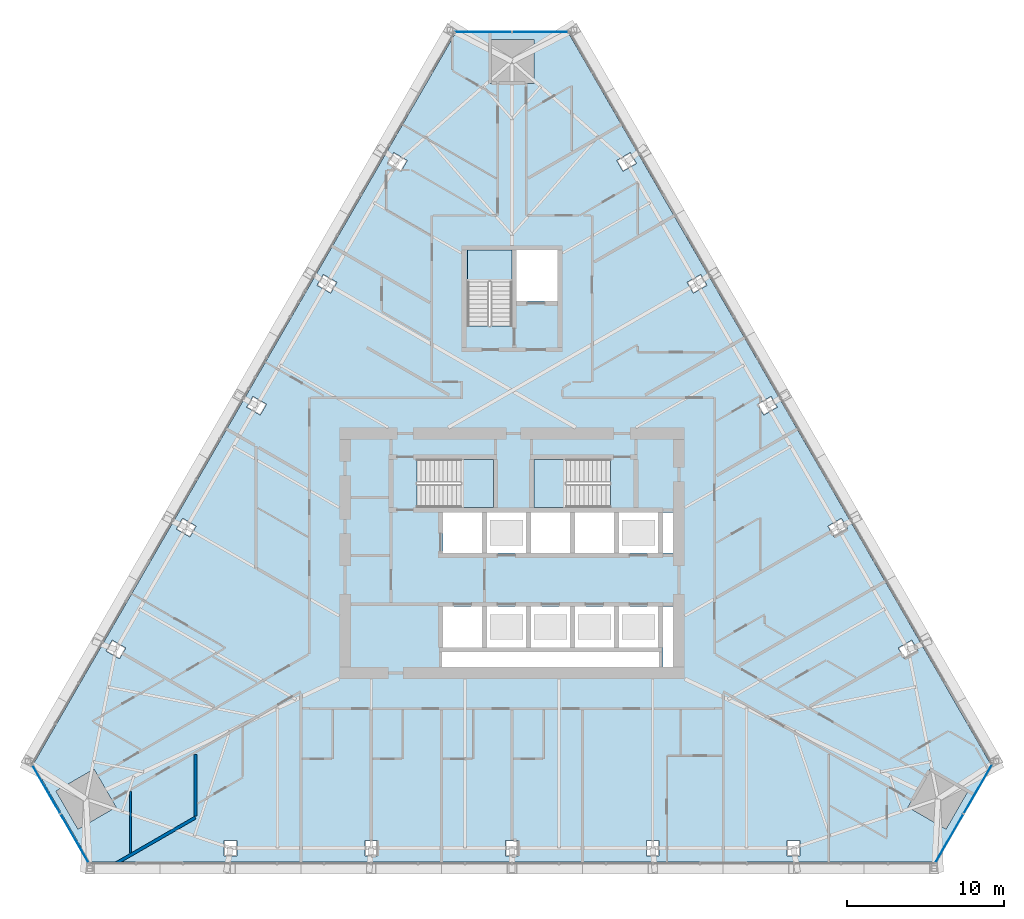
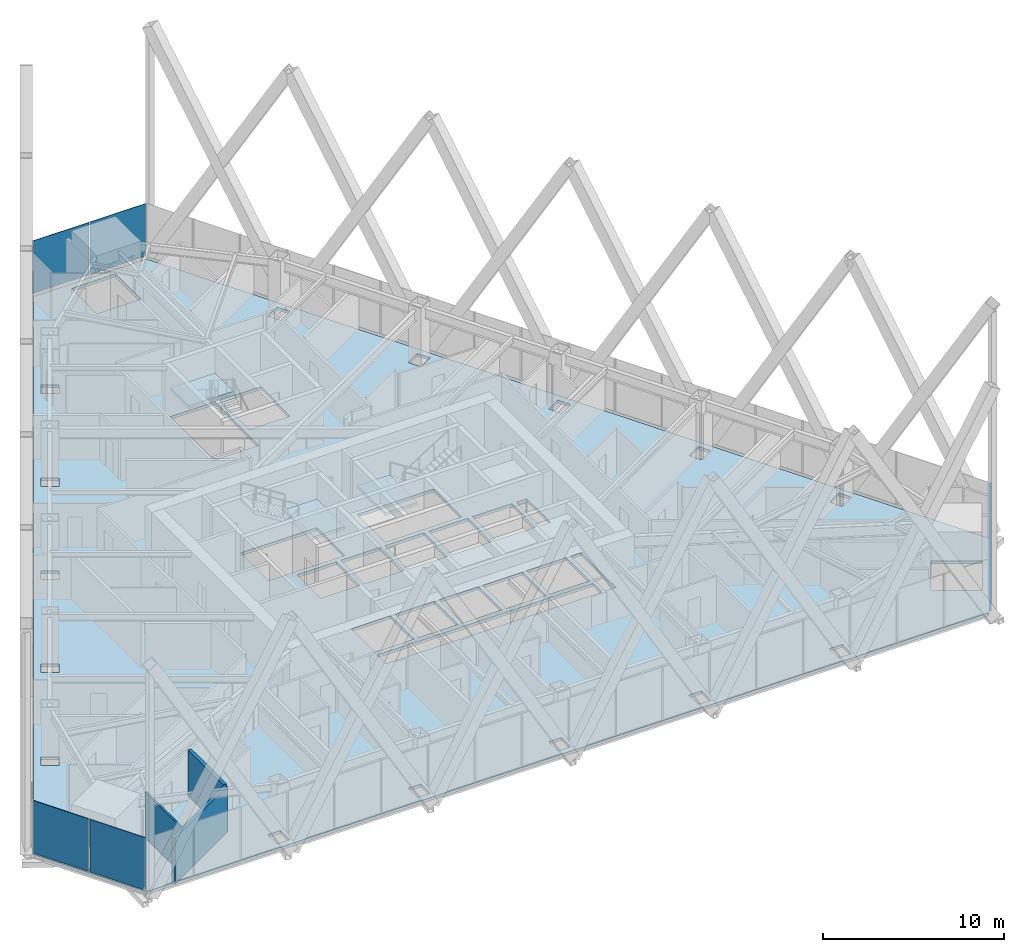
# One storey, part 16 of 24: 6 plates, 4 slabs, 3 walls, 6 elements without a shape of their own.
"""IFC4 building model written with IfcOpenShell, lengths in metres."""

from ifc_helpers import new_model, si_unit, direction, frame, frame_2d, origin, place, context, subcontext, project, spatial, polyline, rectangle, outline, extrude, material, layer, layer_set, type_object, element, aggregate, save


model = new_model("IFC4")

# Units and contexts
model_context = context("Model", 3, precision=1e-05, world=origin(), true_north=direction((0.0, 1.0)))
body_context = subcontext(model_context, "Body", "Model", "MODEL_VIEW")
ifc_project = project(units=[si_unit("LENGTHUNIT", "METRE"), si_unit("AREAUNIT", "SQUARE_METRE"), si_unit("VOLUMEUNIT", "CUBIC_METRE"), si_unit("PLANEANGLEUNIT", "RADIAN"), si_unit("MASSUNIT", "GRAM", prefix="KILO")], contexts=[model_context])

# Site, building, storey
site_placement = place(None, origin())
site = spatial("IfcSite", under=ifc_project, at=site_placement, CompositionType="ELEMENT")
building_placement = place(site_placement, origin())
building = spatial("IfcBuilding", under=site, at=building_placement, Name="Firuza Gate Tower and Library", CompositionType="ELEMENT")
storey_placement = place(building_placement, frame((0.0, 0.0, 171.39990234375)))
storey = spatial("IfcBuildingStorey", under=building, at=storey_placement, Name="L39", CompositionType="ELEMENT", Elevation=171.39990234375)

# Slab
ifc_material_1 = material(Name="Concrete C40/50", Category="concrete")
ifc_layer_1 = layer(ifc_material_1, 0.199951171875)
ifc_layer_set_1 = layer_set([ifc_layer_1], Name="Composite floor slab 200 C40/50")
slab_type_1 = type_object("IfcSlabType", Name="Composite floor slab 200 C40/50", PredefinedType="FLOOR", material=ifc_layer_set_1)
slab_1_placement = place(storey_placement, frame((0.0, 0.0, -0.199951171875)))
element("IfcSlab", 1, at=slab_1_placement, inside=storey, type_object=slab_type_1, Name="Floor slab L39", PredefinedType="FLOOR", context=body_context, shape_type="SweptSolid", body=[
    extrude(outline(polyline([(44.51416015625, 61.555908203125), (48.1142578125, 55.320556640625), (101.8857421875, 55.320556640625), (105.48583984375, 61.555908203125), (78.60009765625, 108.12353515625), (71.39990234375, 108.12353515625), (44.51416015625, 61.555908203125)]), holes=[polyline([(56.676025390625, 55.720458984375), (56.676025390625, 56.720458984375), (57.47607421875, 56.720458984375), (57.47607421875, 55.720458984375), (56.676025390625, 55.720458984375)]), polyline([(74.60009765625, 55.720458984375), (74.60009765625, 56.720458984375), (75.39990234375, 56.720458984375), (75.39990234375, 55.720458984375), (74.60009765625, 55.720458984375)]), polyline([(65.63818359375, 55.720458984375), (65.63818359375, 56.720458984375), (66.43798828125, 56.720458984375), (66.43798828125, 55.720458984375), (65.63818359375, 55.720458984375)]), polyline([(45.960693359375, 59.8505859375), (48.385498046875, 61.250732421875), (49.785400390625, 58.825927734375), (47.360595703125, 57.42578125), (45.960693359375, 59.8505859375)]), polyline([(84.35009765625, 67.75), (70.550048828125, 67.75), (70.550048828125, 68.699951171875), (84.35009765625, 68.699951171875), (84.35009765625, 67.75)]), polyline([(49.54150390625, 69.463623046875), (50.40771484375, 68.963623046875), (50.007568359375, 68.270751953125), (49.1416015625, 68.770751953125), (49.54150390625, 69.463623046875)]), polyline([(73.10009765625, 69.0), (70.60009765625, 69.0), (70.60009765625, 71.60009765625), (73.10009765625, 71.60009765625), (73.10009765625, 69.0)]), polyline([(75.89990234375, 69.0), (73.39990234375, 69.0), (73.39990234375, 71.60009765625), (75.89990234375, 71.60009765625), (75.89990234375, 69.0)]), polyline([(73.10009765625, 75.0), (70.60009765625, 75.0), (70.60009765625, 77.60009765625), (73.10009765625, 77.60009765625), (73.10009765625, 75.0)]), polyline([(75.89990234375, 75.0), (73.39990234375, 75.0), (73.39990234375, 77.60009765625), (75.89990234375, 77.60009765625), (75.89990234375, 75.0)]), polyline([(54.0224609375, 77.224853515625), (54.888671875, 76.724853515625), (54.488525390625, 76.031982421875), (53.62255859375, 76.531982421875), (54.0224609375, 77.224853515625)]), polyline([(73.81005859375, 77.89990234375), (68.9404296875, 77.89990234375), (68.9404296875, 80.97998046875), (73.81005859375, 80.97998046875), (73.81005859375, 77.89990234375)]), polyline([(58.50341796875, 84.986083984375), (59.36962890625, 84.486083984375), (58.969482421875, 83.793212890625), (58.103515625, 84.293212890625), (58.50341796875, 84.986083984375)]), polyline([(72.159912109375, 89.470458984375), (72.159912109375, 94.300048828125), (75.0, 94.300048828125), (75.0, 89.470458984375), (72.159912109375, 89.470458984375)]), polyline([(62.984375, 92.747314453125), (63.8505859375, 92.247314453125), (63.450439453125, 91.5546875), (62.58447265625, 92.0546875), (62.984375, 92.747314453125)]), polyline([(75.300048828125, 91.050048828125), (75.300048828125, 94.300048828125), (77.89990234375, 94.300048828125), (77.89990234375, 91.050048828125), (75.300048828125, 91.050048828125)]), polyline([(68.33154296875, 100.008544921875), (67.931396484375, 99.31591796875), (67.0654296875, 99.81591796875), (67.46533203125, 100.508544921875), (68.33154296875, 100.008544921875)]), polyline([(76.39990234375, 107.723388671875), (76.39990234375, 104.923583984375), (73.60009765625, 104.923583984375), (73.60009765625, 107.723388671875), (76.39990234375, 107.723388671875)]), polyline([(92.52392578125, 55.720458984375), (92.52392578125, 56.720458984375), (93.323974609375, 56.720458984375), (93.323974609375, 55.720458984375), (92.52392578125, 55.720458984375)]), polyline([(83.56201171875, 55.720458984375), (83.56201171875, 56.720458984375), (84.36181640625, 56.720458984375), (84.36181640625, 55.720458984375), (83.56201171875, 55.720458984375)]), polyline([(102.639404296875, 57.42578125), (100.214599609375, 58.825927734375), (101.614501953125, 61.250732421875), (104.039306640625, 59.8505859375), (102.639404296875, 57.42578125)]), polyline([(100.8583984375, 68.770751953125), (99.992431640625, 68.270751953125), (99.59228515625, 68.963623046875), (100.45849609375, 69.463623046875), (100.8583984375, 68.770751953125)]), polyline([(85.25, 67.75), (84.60009765625, 67.75), (84.60009765625, 71.60009765625), (85.25, 71.60009765625), (85.25, 67.75)]), polyline([(81.5, 69.0), (79.0, 69.0), (79.0, 71.60009765625), (81.5, 71.60009765625), (81.5, 69.0)]), polyline([(81.800048828125, 69.0), (81.800048828125, 71.60009765625), (84.300048828125, 71.60009765625), (84.300048828125, 69.0), (81.800048828125, 69.0)]), polyline([(76.199951171875, 69.0), (76.199951171875, 71.60009765625), (78.699951171875, 71.60009765625), (78.699951171875, 69.0), (76.199951171875, 69.0)]), polyline([(81.5, 75.0), (79.0, 75.0), (79.0, 77.60009765625), (81.5, 77.60009765625), (81.5, 75.0)]), polyline([(84.300048828125, 75.0), (81.800048828125, 75.0), (81.800048828125, 77.60009765625), (84.300048828125, 77.60009765625), (84.300048828125, 75.0)]), polyline([(85.25, 75.0), (84.60009765625, 75.0), (84.60009765625, 77.60009765625), (85.25, 77.60009765625), (85.25, 75.0)]), polyline([(78.699951171875, 75.0), (76.199951171875, 75.0), (76.199951171875, 77.60009765625), (78.699951171875, 77.60009765625), (78.699951171875, 75.0)]), polyline([(96.37744140625, 76.531982421875), (95.511474609375, 76.031982421875), (95.111328125, 76.724853515625), (95.9775390625, 77.224853515625), (96.37744140625, 76.531982421875)]), polyline([(81.259521484375, 77.89990234375), (76.389892578125, 77.89990234375), (76.389892578125, 80.97998046875), (81.259521484375, 80.97998046875), (81.259521484375, 77.89990234375)]), polyline([(91.896484375, 84.293212890625), (91.030517578125, 83.793212890625), (90.63037109375, 84.486083984375), (91.49658203125, 84.986083984375), (91.896484375, 84.293212890625)]), polyline([(86.549560546875, 91.5546875), (86.1494140625, 92.247314453125), (87.015625, 92.747314453125), (87.41552734375, 92.0546875), (86.549560546875, 91.5546875)]), polyline([(82.068603515625, 99.31591796875), (81.66845703125, 100.008544921875), (82.53466796875, 100.508544921875), (82.9345703125, 99.81591796875), (82.068603515625, 99.31591796875)])]), origin(), (0.0, 0.0, 1.0), 0.199951171875),
])

# Curtain wall, plates
ifc_material_2 = material(Name="Aluminium 6063-T6", Category="aluminium")
ifc_layer_2 = layer(ifc_material_2, 0.14990234375)
ifc_layer_set_2 = layer_set([ifc_layer_2], Name="Corner curtain wall, chamfers")
curtain_wall_type = type_object("IfcCurtainWallType", Name="Corner curtain wall, chamfers", PredefinedType="NOTDEFINED", material=ifc_layer_set_2)
placement_1 = place(storey_placement, origin())
curtain_wall_1 = element("IfcCurtainWall", 2, at=placement_1, inside=storey, type_object=curtain_wall_type, Name="CW4 L39 SE corner", PredefinedType="NOTDEFINED")
ifc_material_3 = material(Name="Fritted glass", Category="glass")
ifc_layer_3 = layer(ifc_material_3, 0.030029296875)
ifc_layer_set_3 = layer_set([ifc_layer_3], Name="Fritted glass unit, corners")
plate_type = type_object("IfcPlateType", Name="Fritted glass unit, corners", PredefinedType="CURTAIN_PANEL", material=ifc_layer_set_3)
plate_1_placement = place(storey_placement, frame((101.962158203125, 55.272705078125, 0.150146484375), z_axis=(0.866046390552, -0.49996364809, 0.0), x_axis=(0.49996364809, 0.866046390552, 0.0)))
plate_1 = element("IfcPlate", 3, at=plate_1_placement, type_object=plate_type, Name="Glass unit", PredefinedType="CURTAIN_PANEL", context=body_context, shape_type="SweptSolid", body=[
    extrude(outline(polyline([(0.0, 0.0), (3.563247342942594, 0.0), (3.563247342942594, 3.550048828125), (0.0, 3.550048828125), (0.0, 0.0)])), origin(), (0.0, 0.0, -1.0), 0.030029296875),
])
plate_2_placement = place(storey_placement, frame((103.78369140625, 58.427978515625, 0.150146484375), z_axis=(0.866016723041, -0.500015035186, 0.0), x_axis=(0.500015035186, 0.866016723041, 0.0)))
plate_2 = element("IfcPlate", 4, at=plate_2_placement, type_object=plate_type, Name="Glass unit", PredefinedType="CURTAIN_PANEL", context=body_context, shape_type="SweptSolid", body=[
    extrude(outline(polyline([(0.0, 0.0), (3.5633694106530625, 0.0), (3.5633694106530625, 3.550048828125), (0.0, 3.550048828125), (0.0, 0.0)])), origin(), (0.0, 0.0, -1.0), 0.030029296875),
])
aggregate(curtain_wall_1, [plate_1, plate_2])

curtain_wall_2 = element("IfcCurtainWall", 5, at=placement_1, inside=storey, type_object=curtain_wall_type, Name="CW4 L39 N corner", PredefinedType="NOTDEFINED")
plate_3_placement = place(storey_placement, frame((78.603271484375, 108.21337890625, 0.150146484375), z_axis=(0.0, 1.0, 0.0), x_axis=(-1.0, 0.0, 0.0)))
plate_3 = element("IfcPlate", 6, at=plate_3_placement, type_object=plate_type, Name="Glass unit", PredefinedType="CURTAIN_PANEL", context=body_context, shape_type="SweptSolid", body=[
    extrude(outline(polyline([(0.0, 0.0), (3.563232421875, 0.0), (3.563232421875, 3.550048828125), (0.0, 3.550048828125), (0.0, 0.0)])), origin(), (0.0, 0.0, -1.0), 0.030029296875),
])
plate_4_placement = place(storey_placement, frame((74.9599609375, 108.21337890625, 0.150146484375), z_axis=(0.0, 1.0, 0.0), x_axis=(-1.0, 0.0, 0.0)))
plate_4 = element("IfcPlate", 7, at=plate_4_placement, type_object=plate_type, Name="Glass unit", PredefinedType="CURTAIN_PANEL", context=body_context, shape_type="SweptSolid", body=[
    extrude(outline(polyline([(0.0, 0.0), (3.563232421875, 0.0), (3.563232421875, 3.550048828125), (0.0, 3.550048828125), (0.0, 0.0)])), origin(), (0.0, 0.0, -1.0), 0.030029296875),
])
aggregate(curtain_wall_2, [plate_3, plate_4])

curtain_wall_3 = element("IfcCurtainWall", 8, at=placement_1, inside=storey, type_object=curtain_wall_type, Name="CW4 L39 SW corner", PredefinedType="NOTDEFINED")
plate_5_placement = place(storey_placement, frame((44.4345703125, 61.513916015625, 0.150146484375), z_axis=(-0.866016723041, -0.500015035186, 0.0), x_axis=(0.500015035186, -0.866016723041, 0.0)))
plate_5 = element("IfcPlate", 9, at=plate_5_placement, type_object=plate_type, Name="Glass unit", PredefinedType="CURTAIN_PANEL", context=body_context, shape_type="SweptSolid", body=[
    extrude(outline(polyline([(0.0, 0.0), (3.5633694106530625, 0.0), (3.5633694106530625, 3.550048828125), (0.0, 3.550048828125), (0.0, 0.0)])), origin(), (0.0, 0.0, -1.0), 0.030029296875),
])
plate_6_placement = place(storey_placement, frame((46.25634765625, 58.358642578125, 0.150146484375), z_axis=(-0.866046390552, -0.49996364809, 0.0), x_axis=(0.49996364809, -0.866046390552, 0.0)))
plate_6 = element("IfcPlate", 10, at=plate_6_placement, type_object=plate_type, Name="Glass unit", PredefinedType="CURTAIN_PANEL", context=body_context, shape_type="SweptSolid", body=[
    extrude(outline(polyline([(0.0, 0.0), (3.563247342942594, 0.0), (3.563247342942594, 3.550048828125), (0.0, 3.550048828125), (0.0, 0.0)])), origin(), (0.0, 0.0, -1.0), 0.030029296875),
])
aggregate(curtain_wall_3, [plate_5, plate_6])

# Stair, slab
ifc_material_4 = material(Name="Concrete C35/45", Category="concrete")
stair_type_1 = type_object("IfcStairType", Name="Exit stair ST7", PredefinedType="HALF_TURN_STAIR", material=ifc_material_4)
stair_1 = element("IfcStair", 11, at=placement_1, inside=storey, type_object=stair_type_1, Name="L39 Stair ST1", PredefinedType="HALF_TURN_STAIR")
ifc_material_5 = material(Name="Concrete C35/45", Category="concrete")
ifc_layer_4 = layer(ifc_material_5, 0.199951171875)
ifc_layer_set_4 = layer_set([ifc_layer_4], Name="Stair landing 200")
slab_type_2 = type_object("IfcSlabType", Name="Stair landing 200", PredefinedType="LANDING", material=ifc_layer_set_4)
placement_2 = place(storey_placement, frame((0.0, 0.0, 1.75)))
slab_2 = element("IfcSlab", 12, at=placement_2, type_object=slab_type_2, Name="ST1 landing 1", PredefinedType="LANDING", context=body_context, shape_type="SweptSolid", body=[
    extrude(outline(polyline([(71.739990234375, 77.89990234375), (73.81005859375, 77.89990234375), (73.81005859375, 80.97998046875), (71.739990234375, 80.97998046875), (71.739990234375, 77.89990234375)])), origin(), (0.0, 0.0, 1.0), 0.2001953125),
])
aggregate(stair_1, [slab_2])

stair_2 = element("IfcStair", 13, at=placement_1, inside=storey, type_object=stair_type_1, Name="L39 Stair ST2", PredefinedType="HALF_TURN_STAIR")
slab_3 = element("IfcSlab", 14, at=placement_2, type_object=slab_type_2, Name="ST2 landing 1", PredefinedType="LANDING", context=body_context, shape_type="SweptSolid", body=[
    extrude(outline(polyline([(78.4599609375, 80.97998046875), (76.389892578125, 80.97998046875), (76.389892578125, 77.89990234375), (78.4599609375, 77.89990234375), (78.4599609375, 80.97998046875)])), origin(), (0.0, 0.0, 1.0), 0.2001953125),
])
aggregate(stair_2, [slab_3])

ifc_material_6 = material(Name="Concrete C35/45", Category="concrete")
stair_type_2 = type_object("IfcStairType", Name="Exit stair ST16", PredefinedType="HALF_TURN_STAIR", material=ifc_material_6)
stair_3 = element("IfcStair", 15, at=placement_1, inside=storey, type_object=stair_type_2, Name="L39 Stair ST3", PredefinedType="HALF_TURN_STAIR")
slab_4 = element("IfcSlab", 16, at=placement_2, type_object=slab_type_2, Name="ST3 landing 1", PredefinedType="LANDING", context=body_context, shape_type="SweptSolid", body=[
    extrude(outline(polyline([(75.0, 92.27001953125), (75.0, 94.300048828125), (72.159912109375, 94.300048828125), (72.159912109375, 92.27001953125), (75.0, 92.27001953125)])), origin(), (0.0, 0.0, 1.0), 0.2001953125),
])
aggregate(stair_3, [slab_4])

# Walls
ifc_material_7 = material(Name="Gypsum board partition")
ifc_layer_5 = layer(ifc_material_7, 0.199951171875)
ifc_layer_set_5 = layer_set([ifc_layer_5], Name="Demising wall 200 acoustic double stud")
wall_type_1 = type_object("IfcWallType", Name="Demising wall 200 acoustic double stud", PredefinedType="PARTITIONING", material=ifc_layer_set_5)
wall_1_placement = place(storey_placement, frame((49.81005859375, 55.260498046875, 0.0), z_axis=(0.0, 0.0, 1.0), x_axis=(0.866025827221, 0.499999266586, 0.0)))
element("IfcWall", 17, at=wall_1_placement, inside=storey, type_object=wall_type_1, Name="f:L39:w030", PredefinedType="PARTITIONING", context=body_context, shape_type="SweptSolid", body=[
    extrude(rectangle(XDim=5.80224609375, YDim=0.199951171875, at=frame_2d((2.901123046875, 0.0))), origin(), (0.0, 0.0, 1.0), 3.10009765625),
])
wall_2_placement = place(storey_placement, frame((54.8359375, 58.277587890625, 0.0), z_axis=(0.0, 0.0, 1.0), x_axis=(0.0, 1.0, 0.0)))
element("IfcWall", 18, at=wall_2_placement, inside=storey, type_object=wall_type_1, Name="f:L39:w084", PredefinedType="PARTITIONING", context=body_context, shape_type="SweptSolid", body=[
    extrude(rectangle(XDim=3.894775390625, YDim=0.199951171875, at=frame_2d((1.947265625, 0.0))), origin(), (0.0, 0.0, 1.0), 3.10009765625),
])
ifc_material_8 = material(Name="Gypsum board partition")
ifc_layer_6 = layer(ifc_material_8, 0.10009765625)
ifc_layer_set_6 = layer_set([ifc_layer_6], Name="Partition 100 gypsum board on steel studs")
wall_type_2 = type_object("IfcWallType", Name="Partition 100 gypsum board on steel studs", PredefinedType="PARTITIONING", material=ifc_layer_set_6)
wall_3_placement = place(storey_placement, frame((50.705078125, 55.922607421875, 0.0), z_axis=(0.0, 0.0, 1.0), x_axis=(0.0, 1.0, 0.0)))
element("IfcWall", 19, at=wall_3_placement, inside=storey, type_object=wall_type_2, Name="f:L39:w085", PredefinedType="PARTITIONING", context=body_context, shape_type="SweptSolid", body=[
    extrude(rectangle(XDim=3.894775390625, YDim=0.10009765625, at=frame_2d((1.947265625, 0.0))), origin(), (0.0, 0.0, 1.0), 3.10009765625),
])

save(model, "model.ifc")
